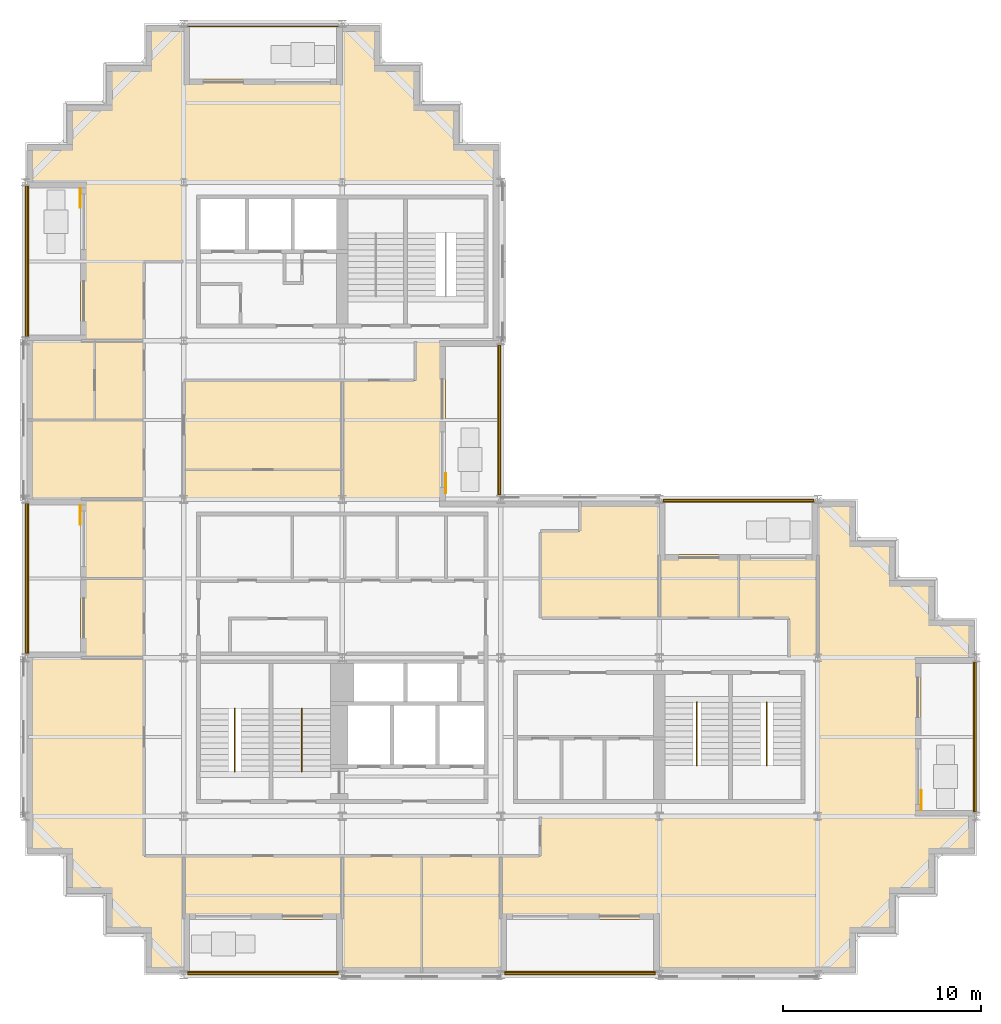
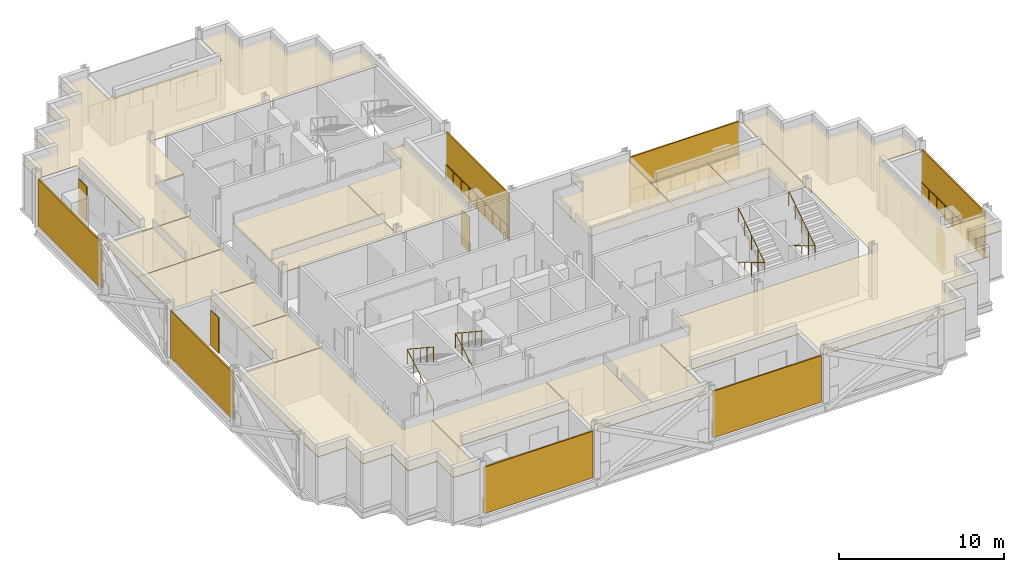
# One storey, part 10 of 12: 17 coverings, 12 railings, 11 shading devices.
"""IFC4 building model written with IfcOpenShell, lengths in metres."""

from ifc_helpers import new_model, si_unit, direction, frame, origin, origin_2d, place, context, subcontext, project, spatial, polyline, rectangle, circle, outline, extrude, material, layer, layer_set, type_object, element, save


model = new_model("IFC4")

# Units and contexts
model_context = context("Model", 3, precision=1e-05, world=origin(), true_north=direction((0.0, 1.0)))
body_context = subcontext(model_context, "Body", "Model", "MODEL_VIEW")
ifc_project = project(units=[si_unit("LENGTHUNIT", "METRE"), si_unit("AREAUNIT", "SQUARE_METRE"), si_unit("VOLUMEUNIT", "CUBIC_METRE"), si_unit("PLANEANGLEUNIT", "RADIAN"), si_unit("MASSUNIT", "GRAM", prefix="KILO")], contexts=[model_context])

# Site, building, storey
site_placement = place(None, origin())
site = spatial("IfcSite", under=ifc_project, at=site_placement, CompositionType="ELEMENT")
building_placement = place(site_placement, origin())
building = spatial("IfcBuilding", under=site, at=building_placement, Name="Immortelle Media Tower", CompositionType="ELEMENT")
storey_placement = place(building_placement, frame((0.0, 0.0, 153.60009765625)))
storey = spatial("IfcBuildingStorey", under=building, at=storey_placement, Name="L31", CompositionType="ELEMENT", Elevation=153.60009765625)

# Railings
ifc_material_1 = material(Name="Powder-coated aluminium fretwork panel, laminated glass backing", Category="aluminium")
railing_type_1 = type_object("IfcRailingType", Name="Fretwork balustrade 1100", PredefinedType="BALUSTRADE", material=ifc_material_1)
railing_1_placement = place(storey_placement, frame((8.202880859375, 0.139892578125, 0.0)))
element("IfcRailing", 1, at=railing_1_placement, inside=storey, type_object=railing_type_1, Name="Fretwork balustrade L31 S0", PredefinedType="BALUSTRADE", context=body_context, shape_type="SweptSolid", body=[
    extrude(circle(Radius=0.02490234375, at=origin_2d()), frame((0.0, 0.0, 1.0751953125), z_axis=(1.0, 0.0, 0.0), x_axis=(0.0, 1.0, 0.0)), (0.0, 0.0, 1.0), 7.591552734375),
    extrude(circle(Radius=0.02001953125, at=origin_2d()), origin(), (0.0, 0.0, 1.0), 1.050048828125),
    extrude(circle(Radius=0.02001953125, at=origin_2d()), frame((0.948974609375, 0.0, 0.0)), (0.0, 0.0, 1.0), 1.050048828125),
    extrude(circle(Radius=0.02001953125, at=origin_2d()), frame((1.89794921875, 0.0, 0.0)), (0.0, 0.0, 1.0), 1.050048828125),
    extrude(circle(Radius=0.02001953125, at=origin_2d()), frame((2.846923828125, 0.0, 0.0)), (0.0, 0.0, 1.0), 1.050048828125),
    extrude(circle(Radius=0.02001953125, at=origin_2d()), frame((3.7958984375, 0.0, 0.0)), (0.0, 0.0, 1.0), 1.050048828125),
    extrude(circle(Radius=0.02001953125, at=origin_2d()), frame((4.74462890625, 0.0, 0.0)), (0.0, 0.0, 1.0), 1.050048828125),
    extrude(circle(Radius=0.02001953125, at=origin_2d()), frame((5.693603515625, 0.0, 0.0)), (0.0, 0.0, 1.0), 1.050048828125),
    extrude(circle(Radius=0.02001953125, at=origin_2d()), frame((6.642578125, 0.0, 0.0)), (0.0, 0.0, 1.0), 1.050048828125),
    extrude(circle(Radius=0.02001953125, at=origin_2d()), frame((7.591552734375, 0.0, 0.0)), (0.0, 0.0, 1.0), 1.050048828125),
])
railing_2_placement = place(storey_placement, frame((24.20556640625, 0.139892578125, 0.0)))
element("IfcRailing", 2, at=railing_2_placement, inside=storey, type_object=railing_type_1, Name="Fretwork balustrade L31 S2", PredefinedType="BALUSTRADE", context=body_context, shape_type="SweptSolid", body=[
    extrude(circle(Radius=0.02490234375, at=origin_2d()), frame((0.0, 0.0, 1.0751953125), z_axis=(1.0, 0.0, 0.0), x_axis=(0.0, 1.0, 0.0)), (0.0, 0.0, 1.0), 7.5888671875),
    extrude(circle(Radius=0.02001953125, at=origin_2d()), origin(), (0.0, 0.0, 1.0), 1.050048828125),
    extrude(circle(Radius=0.02001953125, at=origin_2d()), frame((0.94873046875, 0.0, 0.0)), (0.0, 0.0, 1.0), 1.050048828125),
    extrude(circle(Radius=0.02001953125, at=origin_2d()), frame((1.897216796875, 0.0, 0.0)), (0.0, 0.0, 1.0), 1.050048828125),
    extrude(circle(Radius=0.02001953125, at=origin_2d()), frame((2.845703125, 0.0, 0.0)), (0.0, 0.0, 1.0), 1.050048828125),
    extrude(circle(Radius=0.02001953125, at=origin_2d()), frame((3.79443359375, 0.0, 0.0)), (0.0, 0.0, 1.0), 1.050048828125),
    extrude(circle(Radius=0.02001953125, at=origin_2d()), frame((4.7431640625, 0.0, 0.0)), (0.0, 0.0, 1.0), 1.050048828125),
    extrude(circle(Radius=0.02001953125, at=origin_2d()), frame((5.691650390625, 0.0, 0.0)), (0.0, 0.0, 1.0), 1.050048828125),
    extrude(circle(Radius=0.02001953125, at=origin_2d()), frame((6.64013671875, 0.0, 0.0)), (0.0, 0.0, 1.0), 1.050048828125),
    extrude(circle(Radius=0.02001953125, at=origin_2d()), frame((7.5888671875, 0.0, 0.0)), (0.0, 0.0, 1.0), 1.050048828125),
])
railing_3_placement = place(storey_placement, frame((47.860107421875, 8.20849609375, 0.0)))
element("IfcRailing", 3, at=railing_3_placement, inside=storey, type_object=railing_type_1, Name="Fretwork balustrade L31 E0", PredefinedType="BALUSTRADE", context=body_context, shape_type="SweptSolid", body=[
    extrude(circle(Radius=0.02490234375, at=origin_2d()), frame((0.0, 0.0, 1.0751953125), z_axis=(0.0, 1.0, 0.0), x_axis=(-1.0, 0.0, 0.0)), (0.0, 0.0, 1.0), 7.5830078125),
    extrude(circle(Radius=0.02001953125, at=origin_2d()), origin(), (0.0, 0.0, 1.0), 1.050048828125),
    extrude(circle(Radius=0.02001953125, at=origin_2d()), frame((0.0, 0.94775390625, 0.0)), (0.0, 0.0, 1.0), 1.050048828125),
    extrude(circle(Radius=0.02001953125, at=origin_2d()), frame((0.0, 1.895751953125, 0.0)), (0.0, 0.0, 1.0), 1.050048828125),
    extrude(circle(Radius=0.02001953125, at=origin_2d()), frame((0.0, 2.84375, 0.0)), (0.0, 0.0, 1.0), 1.050048828125),
    extrude(circle(Radius=0.02001953125, at=origin_2d()), frame((0.0, 3.79150390625, 0.0)), (0.0, 0.0, 1.0), 1.050048828125),
    extrude(circle(Radius=0.02001953125, at=origin_2d()), frame((0.0, 4.7392578125, 0.0)), (0.0, 0.0, 1.0), 1.050048828125),
    extrude(circle(Radius=0.02001953125, at=origin_2d()), frame((0.0, 5.687255859375, 0.0)), (0.0, 0.0, 1.0), 1.050048828125),
    extrude(circle(Radius=0.02001953125, at=origin_2d()), frame((0.0, 6.63525390625, 0.0)), (0.0, 0.0, 1.0), 1.050048828125),
    extrude(circle(Radius=0.02001953125, at=origin_2d()), frame((0.0, 7.5830078125, 0.0)), (0.0, 0.0, 1.0), 1.050048828125),
])
railing_4_placement = place(storey_placement, frame((39.797119140625, 23.860107421875, 0.0)))
element("IfcRailing", 4, at=railing_4_placement, inside=storey, type_object=railing_type_1, Name="Fretwork balustrade L31 N0", PredefinedType="BALUSTRADE", context=body_context, shape_type="SweptSolid", body=[
    extrude(circle(Radius=0.02490234375, at=origin_2d()), frame((0.0, 0.0, 1.0751953125), z_axis=(-1.0, 0.0, 0.0), x_axis=(0.0, -1.0, 0.0)), (0.0, 0.0, 1.0), 7.591552734375),
    extrude(circle(Radius=0.02001953125, at=origin_2d()), origin(), (0.0, 0.0, 1.0), 1.050048828125),
    extrude(circle(Radius=0.02001953125, at=origin_2d()), frame((-0.948974609375, 0.0, 0.0)), (0.0, 0.0, 1.0), 1.050048828125),
    extrude(circle(Radius=0.02001953125, at=origin_2d()), frame((-1.89794921875, 0.0, 0.0)), (0.0, 0.0, 1.0), 1.050048828125),
    extrude(circle(Radius=0.02001953125, at=origin_2d()), frame((-2.846923828125, 0.0, 0.0)), (0.0, 0.0, 1.0), 1.050048828125),
    extrude(circle(Radius=0.02001953125, at=origin_2d()), frame((-3.7958984375, 0.0, 0.0)), (0.0, 0.0, 1.0), 1.050048828125),
    extrude(circle(Radius=0.02001953125, at=origin_2d()), frame((-4.74462890625, 0.0, 0.0)), (0.0, 0.0, 1.0), 1.050048828125),
    extrude(circle(Radius=0.02001953125, at=origin_2d()), frame((-5.693603515625, 0.0, 0.0)), (0.0, 0.0, 1.0), 1.050048828125),
    extrude(circle(Radius=0.02001953125, at=origin_2d()), frame((-6.642578125, 0.0, 0.0)), (0.0, 0.0, 1.0), 1.050048828125),
    extrude(circle(Radius=0.02001953125, at=origin_2d()), frame((-7.591552734375, 0.0, 0.0)), (0.0, 0.0, 1.0), 1.050048828125),
])
railing_5_placement = place(storey_placement, frame((23.860107421875, 24.217041015625, 0.0)))
element("IfcRailing", 5, at=railing_5_placement, inside=storey, type_object=railing_type_1, Name="Fretwork balustrade L31 E0", PredefinedType="BALUSTRADE", context=body_context, shape_type="SweptSolid", body=[
    extrude(circle(Radius=0.02490234375, at=origin_2d()), frame((0.0, 0.0, 1.0751953125), z_axis=(0.0, 1.0, 0.0), x_axis=(-1.0, 0.0, 0.0)), (0.0, 0.0, 1.0), 7.58349609375),
    extrude(circle(Radius=0.02001953125, at=origin_2d()), origin(), (0.0, 0.0, 1.0), 1.050048828125),
    extrude(circle(Radius=0.02001953125, at=origin_2d()), frame((0.0, 0.947998046875, 0.0)), (0.0, 0.0, 1.0), 1.050048828125),
    extrude(circle(Radius=0.02001953125, at=origin_2d()), frame((0.0, 1.89599609375, 0.0)), (0.0, 0.0, 1.0), 1.050048828125),
    extrude(circle(Radius=0.02001953125, at=origin_2d()), frame((0.0, 2.84375, 0.0)), (0.0, 0.0, 1.0), 1.050048828125),
    extrude(circle(Radius=0.02001953125, at=origin_2d()), frame((0.0, 3.791748046875, 0.0)), (0.0, 0.0, 1.0), 1.050048828125),
    extrude(circle(Radius=0.02001953125, at=origin_2d()), frame((0.0, 4.73974609375, 0.0)), (0.0, 0.0, 1.0), 1.050048828125),
    extrude(circle(Radius=0.02001953125, at=origin_2d()), frame((0.0, 5.6875, 0.0)), (0.0, 0.0, 1.0), 1.050048828125),
    extrude(circle(Radius=0.02001953125, at=origin_2d()), frame((0.0, 6.635498046875, 0.0)), (0.0, 0.0, 1.0), 1.050048828125),
    extrude(circle(Radius=0.02001953125, at=origin_2d()), frame((0.0, 7.58349609375, 0.0)), (0.0, 0.0, 1.0), 1.050048828125),
])
railing_6_placement = place(storey_placement, frame((15.802978515625, 47.860107421875, 0.0)))
element("IfcRailing", 6, at=railing_6_placement, inside=storey, type_object=railing_type_1, Name="Fretwork balustrade L31 N0", PredefinedType="BALUSTRADE", context=body_context, shape_type="SweptSolid", body=[
    extrude(circle(Radius=0.02490234375, at=origin_2d()), frame((0.0, 0.0, 1.0751953125), z_axis=(-1.0, 0.0, 0.0), x_axis=(0.0, -1.0, 0.0)), (0.0, 0.0, 1.0), 7.60595703125),
    extrude(circle(Radius=0.02001953125, at=origin_2d()), origin(), (0.0, 0.0, 1.0), 1.050048828125),
    extrude(circle(Radius=0.02001953125, at=origin_2d()), frame((-0.95068359375, 0.0, 0.0)), (0.0, 0.0, 1.0), 1.050048828125),
    extrude(circle(Radius=0.02001953125, at=origin_2d()), frame((-1.9013671875, 0.0, 0.0)), (0.0, 0.0, 1.0), 1.050048828125),
    extrude(circle(Radius=0.02001953125, at=origin_2d()), frame((-2.852294921875, 0.0, 0.0)), (0.0, 0.0, 1.0), 1.050048828125),
    extrude(circle(Radius=0.02001953125, at=origin_2d()), frame((-3.802978515625, 0.0, 0.0)), (0.0, 0.0, 1.0), 1.050048828125),
    extrude(circle(Radius=0.02001953125, at=origin_2d()), frame((-4.753662109375, 0.0, 0.0)), (0.0, 0.0, 1.0), 1.050048828125),
    extrude(circle(Radius=0.02001953125, at=origin_2d()), frame((-5.70458984375, 0.0, 0.0)), (0.0, 0.0, 1.0), 1.050048828125),
    extrude(circle(Radius=0.02001953125, at=origin_2d()), frame((-6.6552734375, 0.0, 0.0)), (0.0, 0.0, 1.0), 1.050048828125),
    extrude(circle(Radius=0.02001953125, at=origin_2d()), frame((-7.60595703125, 0.0, 0.0)), (0.0, 0.0, 1.0), 1.050048828125),
])
railing_7_placement = place(storey_placement, frame((0.139892578125, 39.81201171875, 0.0)))
element("IfcRailing", 7, at=railing_7_placement, inside=storey, type_object=railing_type_1, Name="Fretwork balustrade L31 W0", PredefinedType="BALUSTRADE", context=body_context, shape_type="SweptSolid", body=[
    extrude(circle(Radius=0.02490234375, at=origin_2d()), frame((0.0, 0.0, 1.0751953125), z_axis=(0.0, -1.0, 0.0), x_axis=(1.0, 0.0, 0.0)), (0.0, 0.0, 1.0), 7.612548828125),
    extrude(circle(Radius=0.02001953125, at=origin_2d()), origin(), (0.0, 0.0, 1.0), 1.050048828125),
    extrude(circle(Radius=0.02001953125, at=origin_2d()), frame((0.0, -0.95166015625, 0.0)), (0.0, 0.0, 1.0), 1.050048828125),
    extrude(circle(Radius=0.02001953125, at=origin_2d()), frame((0.0, -1.903076171875, 0.0)), (0.0, 0.0, 1.0), 1.050048828125),
    extrude(circle(Radius=0.02001953125, at=origin_2d()), frame((0.0, -2.854736328125, 0.0)), (0.0, 0.0, 1.0), 1.050048828125),
    extrude(circle(Radius=0.02001953125, at=origin_2d()), frame((0.0, -3.80615234375, 0.0)), (0.0, 0.0, 1.0), 1.050048828125),
    extrude(circle(Radius=0.02001953125, at=origin_2d()), frame((0.0, -4.7578125, 0.0)), (0.0, 0.0, 1.0), 1.050048828125),
    extrude(circle(Radius=0.02001953125, at=origin_2d()), frame((0.0, -5.70947265625, 0.0)), (0.0, 0.0, 1.0), 1.050048828125),
    extrude(circle(Radius=0.02001953125, at=origin_2d()), frame((0.0, -6.660888671875, 0.0)), (0.0, 0.0, 1.0), 1.050048828125),
    extrude(circle(Radius=0.02001953125, at=origin_2d()), frame((0.0, -7.612548828125, 0.0)), (0.0, 0.0, 1.0), 1.050048828125),
])
railing_8_placement = place(storey_placement, frame((0.139892578125, 23.800537109375, 0.0)))
element("IfcRailing", 8, at=railing_8_placement, inside=storey, type_object=railing_type_1, Name="Fretwork balustrade L31 W2", PredefinedType="BALUSTRADE", context=body_context, shape_type="SweptSolid", body=[
    extrude(circle(Radius=0.02490234375, at=origin_2d()), frame((0.0, 0.0, 1.0751953125), z_axis=(0.0, -1.0, 0.0), x_axis=(1.0, 0.0, 0.0)), (0.0, 0.0, 1.0), 7.58349609375),
    extrude(circle(Radius=0.02001953125, at=origin_2d()), origin(), (0.0, 0.0, 1.0), 1.050048828125),
    extrude(circle(Radius=0.02001953125, at=origin_2d()), frame((0.0, -0.947998046875, 0.0)), (0.0, 0.0, 1.0), 1.050048828125),
    extrude(circle(Radius=0.02001953125, at=origin_2d()), frame((0.0, -1.89599609375, 0.0)), (0.0, 0.0, 1.0), 1.050048828125),
    extrude(circle(Radius=0.02001953125, at=origin_2d()), frame((0.0, -2.84375, 0.0)), (0.0, 0.0, 1.0), 1.050048828125),
    extrude(circle(Radius=0.02001953125, at=origin_2d()), frame((0.0, -3.791748046875, 0.0)), (0.0, 0.0, 1.0), 1.050048828125),
    extrude(circle(Radius=0.02001953125, at=origin_2d()), frame((0.0, -4.73974609375, 0.0)), (0.0, 0.0, 1.0), 1.050048828125),
    extrude(circle(Radius=0.02001953125, at=origin_2d()), frame((0.0, -5.6875, 0.0)), (0.0, 0.0, 1.0), 1.050048828125),
    extrude(circle(Radius=0.02001953125, at=origin_2d()), frame((0.0, -6.635498046875, 0.0)), (0.0, 0.0, 1.0), 1.050048828125),
    extrude(circle(Radius=0.02001953125, at=origin_2d()), frame((0.0, -7.58349609375, 0.0)), (0.0, 0.0, 1.0), 1.050048828125),
])

# Shading devices
ifc_material_2 = material(Name="Pale aluminium louvre blades", Category="aluminium")
ifc_layer_1 = layer(ifc_material_2, 0.10009765625)
ifc_layer_set_1 = layer_set([ifc_layer_1], Name="Pale aluminium louvre blades")
shading_device_type_1 = type_object("IfcShadingDeviceType", Name="Jalousie screen 100", PredefinedType="JALOUSIE", material=ifc_layer_set_1)
shading_device_1_placement = place(storey_placement, frame((11.998779296875, 0.050048828125, 0.0), z_axis=(0.0, 0.0, 1.0), x_axis=(1.0, 0.0, 0.0)))
element("IfcShadingDevice", 9, at=shading_device_1_placement, inside=storey, type_object=shading_device_type_1, Name="Jalousie screen L31 S0", PredefinedType="JALOUSIE", context=body_context, shape_type="SweptSolid", body=[
    extrude(rectangle(XDim=7.591552734375, YDim=0.10009765625, at=origin_2d()), origin(), (0.0, 0.0, 1.0), 3.43798828125),
])
shading_device_2_placement = place(storey_placement, frame((28.0, 0.050048828125, 0.0), z_axis=(0.0, 0.0, 1.0), x_axis=(1.0, 0.0, 0.0)))
element("IfcShadingDevice", 10, at=shading_device_2_placement, inside=storey, type_object=shading_device_type_1, Name="Jalousie screen L31 S2", PredefinedType="JALOUSIE", context=body_context, shape_type="SweptSolid", body=[
    extrude(rectangle(XDim=7.589111328125, YDim=0.10009765625, at=origin_2d()), origin(), (0.0, 0.0, 1.0), 3.43798828125),
])
shading_device_3_placement = place(storey_placement, frame((47.949951171875, 12.0, 0.0), z_axis=(0.0, 0.0, 1.0), x_axis=(0.0, 1.0, 0.0)))
element("IfcShadingDevice", 11, at=shading_device_3_placement, inside=storey, type_object=shading_device_type_1, Name="Jalousie screen L31 E0", PredefinedType="JALOUSIE", context=body_context, shape_type="SweptSolid", body=[
    extrude(rectangle(XDim=7.5830078125, YDim=0.10009765625, at=origin_2d()), origin(), (0.0, 0.0, 1.0), 3.43798828125),
])
shading_device_4_placement = place(storey_placement, frame((36.001220703125, 23.949951171875, 0.0), z_axis=(0.0, 0.0, 1.0), x_axis=(-1.0, 0.0, 0.0)))
element("IfcShadingDevice", 12, at=shading_device_4_placement, inside=storey, type_object=shading_device_type_1, Name="Jalousie screen L31 N0", PredefinedType="JALOUSIE", context=body_context, shape_type="SweptSolid", body=[
    extrude(rectangle(XDim=7.591552734375, YDim=0.10009765625, at=origin_2d()), origin(), (0.0, 0.0, 1.0), 3.43798828125),
])
shading_device_5_placement = place(storey_placement, frame((23.949951171875, 28.0087890625, 0.0), z_axis=(0.0, 0.0, 1.0), x_axis=(0.0, 1.0, 0.0)))
element("IfcShadingDevice", 13, at=shading_device_5_placement, inside=storey, type_object=shading_device_type_1, Name="Jalousie screen L31 E0", PredefinedType="JALOUSIE", context=body_context, shape_type="SweptSolid", body=[
    extrude(rectangle(XDim=7.58349609375, YDim=0.10009765625, at=origin_2d()), origin(), (0.0, 0.0, 1.0), 3.43798828125),
])
shading_device_6_placement = place(storey_placement, frame((0.050048828125, 36.005859375, 0.0), z_axis=(0.0, 0.0, 1.0), x_axis=(0.0, -1.0, 0.0)))
element("IfcShadingDevice", 14, at=shading_device_6_placement, inside=storey, type_object=shading_device_type_1, Name="Jalousie screen L31 W0", PredefinedType="JALOUSIE", context=body_context, shape_type="SweptSolid", body=[
    extrude(rectangle(XDim=7.612548828125, YDim=0.10009765625, at=origin_2d()), origin(), (0.0, 0.0, 1.0), 3.43798828125),
])
shading_device_7_placement = place(storey_placement, frame((0.050048828125, 20.0087890625, 0.0), z_axis=(0.0, 0.0, 1.0), x_axis=(0.0, -1.0, 0.0)))
element("IfcShadingDevice", 15, at=shading_device_7_placement, inside=storey, type_object=shading_device_type_1, Name="Jalousie screen L31 W2", PredefinedType="JALOUSIE", context=body_context, shape_type="SweptSolid", body=[
    extrude(rectangle(XDim=7.58349609375, YDim=0.10009765625, at=origin_2d()), origin(), (0.0, 0.0, 1.0), 3.43798828125),
])
ifc_material_3 = material(Name="Pale aluminium louvre blades in a folding frame", Category="aluminium")
ifc_layer_2 = layer(ifc_material_3, 0.050048828125)
ifc_layer_set_2 = layer_set([ifc_layer_2], Name="Pale aluminium louvre blades in a folding frame")
shading_device_type_2 = type_object("IfcShadingDeviceType", Name="Louvred loggia shutter", PredefinedType="SHUTTER", material=ifc_layer_set_2)
for number, where, z_axis, x_axis, name in (
    (16, (45.22509765625, 8.800048828125, -0.000244140625), (0.0, 0.0, 1.0), (0.0, 1.0, 0.0), "Loggia shutter L31 E0"),
    (17, (21.22509765625, 24.800048828125, -0.000244140625), (0.0, 0.0, 1.0), (0.0, 1.0, 0.0), "Loggia shutter L31 E0"),
    (18, (2.77490234375, 39.199951171875, -0.000244140625), (0.0, 0.0, 1.0), (0.0, -1.0, 0.0), "Loggia shutter L31 W0"),
    (19, (2.77490234375, 23.199951171875, -0.000244140625), (0.0, 0.0, 1.0), (0.0, -1.0, 0.0), "Loggia shutter L31 W2"),
):
    element("IfcShadingDevice", number, at=place(storey_placement, frame(where, z_axis=z_axis, x_axis=x_axis)), inside=storey, type_object=shading_device_type_2, Name=name, PredefinedType="SHUTTER", context=body_context, shape_type="SweptSolid", body=[
        extrude(rectangle(XDim=1.0, YDim=0.050048828125, at=origin_2d()), origin(), (0.0, 0.0, 1.0), 2.60009765625),
    ])

# Railings
ifc_material_4 = material(Name="Stainless steel AISI 316", Category="steel")
railing_type_2 = type_object("IfcRailingType", Name="Stair guard 1100", PredefinedType="GUARDRAIL", material=ifc_material_4)
for number, where, name in (
    (20, (10.574951171875, 10.25, 0.1748046875), "Stair guard SW1"),
    (21, (13.949951171875, 10.25, 0.1748046875), "Stair guard SW2"),
):
    element("IfcRailing", number, at=place(storey_placement, frame(where)), inside=storey, type_object=railing_type_2, Name=name, PredefinedType="GUARDRAIL", context=body_context, shape_type="SweptSolid", body=[
        extrude(circle(Radius=0.02392578125, at=origin_2d()), frame((0.0, 0.0, 1.076171875), z_axis=(0.0, 0.856177665481, 0.516681531633), x_axis=(-1.0, 0.0, 0.0)), (0.0, 0.0, 1.0), 3.725830078125),
        extrude(circle(Radius=0.02392578125, at=origin_2d()), frame((0.0, 3.18994140625, 3.0009765625), z_axis=(0.0, -0.835242474824, 0.549881812983), x_axis=(1.0, 0.0, 0.0)), (0.0, 0.0, 1.0), 3.819091796875),
        extrude(circle(Radius=0.02099609375, at=origin_2d()), origin(), (0.0, 0.0, 1.0), 1.052001953125),
        extrude(circle(Radius=0.02099609375, at=origin_2d()), frame((0.0, 0.79736328125, 0.481201171875)), (0.0, 0.0, 1.0), 1.052001953125),
        extrude(circle(Radius=0.02099609375, at=origin_2d()), frame((0.0, 1.594970703125, 0.96240234375)), (0.0, 0.0, 1.0), 1.052001953125),
        extrude(circle(Radius=0.02099609375, at=origin_2d()), frame((0.0, 2.392578125, 1.44384765625)), (0.0, 0.0, 1.0), 1.052001953125),
        extrude(circle(Radius=0.02099609375, at=origin_2d()), frame((0.0, 3.18994140625, 1.925048828125)), (0.0, 0.0, 1.0), 1.052001953125),
        extrude(circle(Radius=0.02099609375, at=origin_2d()), frame((0.0, 2.392578125, 2.4501953125)), (0.0, 0.0, 1.0), 1.052001953125),
        extrude(circle(Radius=0.02099609375, at=origin_2d()), frame((0.0, 1.594970703125, 2.97509765625)), (0.0, 0.0, 1.0), 1.052001953125),
        extrude(circle(Radius=0.02099609375, at=origin_2d()), frame((0.0, 0.79736328125, 3.5)), (0.0, 0.0, 1.0), 1.052001953125),
        extrude(circle(Radius=0.02099609375, at=origin_2d()), frame((0.0, 0.0, 4.025146484375)), (0.0, 0.0, 1.0), 1.052001953125),
    ])
for number, where, name in (
    (22, (33.89990234375, 13.75, 0.1748046875), "Stair guard SE1"),
    (23, (37.425048828125, 13.75, 0.1748046875), "Stair guard SE2"),
):
    element("IfcRailing", number, at=place(storey_placement, frame(where)), inside=storey, type_object=railing_type_2, Name=name, PredefinedType="GUARDRAIL", context=body_context, shape_type="SweptSolid", body=[
        extrude(circle(Radius=0.02392578125, at=origin_2d()), frame((0.0, 0.0, 1.076171875), z_axis=(0.0, -0.856177665481, 0.516681531633), x_axis=(1.0, 0.0, 0.0)), (0.0, 0.0, 1.0), 3.725830078125),
        extrude(circle(Radius=0.02392578125, at=origin_2d()), frame((0.0, -3.18994140625, 3.0009765625), z_axis=(0.0, 0.835242474824, 0.549881812983), x_axis=(-1.0, 0.0, 0.0)), (0.0, 0.0, 1.0), 3.819091796875),
        extrude(circle(Radius=0.02099609375, at=origin_2d()), origin(), (0.0, 0.0, 1.0), 1.052001953125),
        extrude(circle(Radius=0.02099609375, at=origin_2d()), frame((0.0, -0.79736328125, 0.481201171875)), (0.0, 0.0, 1.0), 1.052001953125),
        extrude(circle(Radius=0.02099609375, at=origin_2d()), frame((0.0, -1.594970703125, 0.96240234375)), (0.0, 0.0, 1.0), 1.052001953125),
        extrude(circle(Radius=0.02099609375, at=origin_2d()), frame((0.0, -2.392578125, 1.44384765625)), (0.0, 0.0, 1.0), 1.052001953125),
        extrude(circle(Radius=0.02099609375, at=origin_2d()), frame((0.0, -3.18994140625, 1.925048828125)), (0.0, 0.0, 1.0), 1.052001953125),
        extrude(circle(Radius=0.02099609375, at=origin_2d()), frame((0.0, -2.392578125, 2.4501953125)), (0.0, 0.0, 1.0), 1.052001953125),
        extrude(circle(Radius=0.02099609375, at=origin_2d()), frame((0.0, -1.594970703125, 2.97509765625)), (0.0, 0.0, 1.0), 1.052001953125),
        extrude(circle(Radius=0.02099609375, at=origin_2d()), frame((0.0, -0.79736328125, 3.5)), (0.0, 0.0, 1.0), 1.052001953125),
        extrude(circle(Radius=0.02099609375, at=origin_2d()), frame((0.0, 0.0, 4.025146484375)), (0.0, 0.0, 1.0), 1.052001953125),
    ])

# Coverings
ifc_material_5 = material(Name="Mineral fibre tile ceiling")
ifc_layer_3 = layer(ifc_material_5, 0.050048828125)
ifc_layer_set_3 = layer_set([ifc_layer_3], Name="Mineral fibre tile ceiling")
covering_type = type_object("IfcCoveringType", Name="Suspended ceiling 50", PredefinedType="CEILING", material=ifc_layer_set_3)
covering_1_placement = place(storey_placement, frame((0.0, 0.0, 3.303955078125)))
element("IfcCovering", 24, at=covering_1_placement, inside=storey, type_object=covering_type, Name="Ceiling L31-001", PredefinedType="CEILING", context=body_context, shape_type="SweptSolid", body=[
    extrude(outline(polyline([(16.0, 2.800048828125), (16.0, 6.0), (20.0, 6.0), (20.0, 0.10009765625), (16.0, 0.10009765625), (16.0, 2.800048828125)])), origin(), (0.0, 0.0, 1.0), 0.050048828125),
])
covering_2_placement = place(storey_placement, frame((0.0, 0.0, 3.303955078125)))
element("IfcCovering", 25, at=covering_2_placement, inside=storey, type_object=covering_type, Name="Ceiling L31-002", PredefinedType="CEILING", context=body_context, shape_type="SweptSolid", body=[
    extrude(outline(polyline([(24.0, 6.0), (24.0, 2.800048828125), (24.0, 0.10009765625), (20.0, 0.10009765625), (20.0, 6.0), (24.0, 6.0)])), origin(), (0.0, 0.0, 1.0), 0.050048828125),
])
covering_3_placement = place(storey_placement, frame((0.0, 0.0, 3.303955078125)))
element("IfcCovering", 26, at=covering_3_placement, inside=storey, type_object=covering_type, Name="Ceiling L31-003", PredefinedType="CEILING", context=body_context, shape_type="SweptSolid", body=[
    extrude(outline(polyline([(8.0, 2.800048828125), (8.0, 6.0), (16.0, 6.0), (16.0, 2.800048828125), (8.0, 2.800048828125)])), origin(), (0.0, 0.0, 1.0), 0.050048828125),
])
covering_4_placement = place(storey_placement, frame((0.0, 0.0, 3.303955078125)))
element("IfcCovering", 27, at=covering_4_placement, inside=storey, type_object=covering_type, Name="Ceiling L31-004", PredefinedType="CEILING", context=body_context, shape_type="SweptSolid", body=[
    extrude(outline(polyline([(26.0, 6.0), (26.0, 8.0), (32.0, 8.0), (40.0, 8.0), (40.0, 16.0), (40.0, 21.199951171875), (40.0, 23.89990234375), (41.89990234375, 23.89990234375), (41.89990234375, 21.89990234375), (43.89990234375, 21.89990234375), (43.89990234375, 19.89990234375), (45.89990234375, 19.89990234375), (45.89990234375, 17.89990234375), (47.89990234375, 17.89990234375), (47.89990234375, 16.0), (45.199951171875, 16.0), (45.199951171875, 8.0), (47.89990234375, 8.0), (47.89990234375, 6.10009765625), (45.89990234375, 6.10009765625), (45.89990234375, 4.10009765625), (43.89990234375, 4.10009765625), (43.89990234375, 2.10009765625), (41.89990234375, 2.10009765625), (41.89990234375, 0.10009765625), (40.0, 0.10009765625), (32.0, 0.10009765625), (32.0, 2.800048828125), (24.0, 2.800048828125), (24.0, 6.0), (26.0, 6.0)])), origin(), (0.0, 0.0, 1.0), 0.050048828125),
])
covering_5_placement = place(storey_placement, frame((0.0, 0.0, 3.303955078125)))
element("IfcCovering", 28, at=covering_5_placement, inside=storey, type_object=covering_type, Name="Ceiling L31-005", PredefinedType="CEILING", context=body_context, shape_type="SweptSolid", body=[
    extrude(outline(polyline([(6.10009765625, 2.10009765625), (4.10009765625, 2.10009765625), (4.10009765625, 4.10009765625), (2.10009765625, 4.10009765625), (2.10009765625, 6.10009765625), (0.10009765625, 6.10009765625), (0.10009765625, 8.0), (0.10009765625, 16.0), (2.800048828125, 16.0), (6.0, 16.0), (6.0, 8.0), (6.0, 6.0), (8.0, 6.0), (8.0, 2.800048828125), (8.0, 0.10009765625), (6.10009765625, 0.10009765625), (6.10009765625, 2.10009765625)])), origin(), (0.0, 0.0, 1.0), 0.050048828125),
])
covering_6_placement = place(storey_placement, frame((0.0, 0.0, 3.303955078125)))
element("IfcCovering", 29, at=covering_6_placement, inside=storey, type_object=covering_type, Name="Ceiling L31-006", PredefinedType="CEILING", context=body_context, shape_type="SweptSolid", body=[
    extrude(outline(polyline([(32.0, 18.0), (32.0, 21.199951171875), (36.0, 21.199951171875), (36.0, 18.0), (32.0, 18.0)])), origin(), (0.0, 0.0, 1.0), 0.050048828125),
])
covering_7_placement = place(storey_placement, frame((0.0, 0.0, 3.303955078125)))
element("IfcCovering", 30, at=covering_7_placement, inside=storey, type_object=covering_type, Name="Ceiling L31-007", PredefinedType="CEILING", context=body_context, shape_type="SweptSolid", body=[
    extrude(outline(polyline([(38.550048828125, 18.0), (36.0, 18.0), (36.0, 21.199951171875), (40.0, 21.199951171875), (40.0, 16.0), (38.550048828125, 16.0), (38.550048828125, 18.0)])), origin(), (0.0, 0.0, 1.0), 0.050048828125),
])
covering_8_placement = place(storey_placement, frame((0.0, 0.0, 3.303955078125)))
element("IfcCovering", 31, at=covering_8_placement, inside=storey, type_object=covering_type, Name="Ceiling L31-008", PredefinedType="CEILING", context=body_context, shape_type="SweptSolid", body=[
    extrude(outline(polyline([(6.0, 16.0), (2.800048828125, 16.0), (2.800048828125, 20.0), (6.0, 20.0), (6.0, 19.449951171875), (6.0, 16.0)])), origin(), (0.0, 0.0, 1.0), 0.050048828125),
])
covering_9_placement = place(storey_placement, frame((0.0, 0.0, 3.303955078125)))
element("IfcCovering", 32, at=covering_9_placement, inside=storey, type_object=covering_type, Name="Ceiling L31-009", PredefinedType="CEILING", context=body_context, shape_type="SweptSolid", body=[
    extrude(outline(polyline([(2.800048828125, 24.0), (6.0, 24.0), (6.0, 20.0), (2.800048828125, 20.0), (2.800048828125, 24.0)])), origin(), (0.0, 0.0, 1.0), 0.050048828125),
])
covering_10_placement = place(storey_placement, frame((0.0, 0.0, 3.303955078125)))
element("IfcCovering", 33, at=covering_10_placement, inside=storey, type_object=covering_type, Name="Ceiling L31-010", PredefinedType="CEILING", context=body_context, shape_type="SweptSolid", body=[
    extrude(outline(polyline([(27.0, 18.0), (26.0, 18.0), (26.0, 19.449951171875), (26.0, 22.39990234375), (28.0, 22.39990234375), (28.0, 23.89990234375), (32.0, 23.89990234375), (32.0, 21.199951171875), (32.0, 18.0), (27.0, 18.0)])), origin(), (0.0, 0.0, 1.0), 0.050048828125),
])
covering_11_placement = place(storey_placement, frame((0.0, 0.0, 3.303955078125)))
element("IfcCovering", 34, at=covering_11_placement, inside=storey, type_object=covering_type, Name="Ceiling L31-011", PredefinedType="CEILING", context=body_context, shape_type="SweptSolid", body=[
    extrude(outline(polyline([(8.0, 30.0), (12.199951171875, 30.0), (12.39990234375, 30.0), (16.0, 30.0), (16.0, 25.5), (8.0, 25.5), (8.0, 30.0)])), origin(), (0.0, 0.0, 1.0), 0.050048828125),
])
covering_12_placement = place(storey_placement, frame((0.0, 0.0, 3.303955078125)))
element("IfcCovering", 35, at=covering_12_placement, inside=storey, type_object=covering_type, Name="Ceiling L31-012", PredefinedType="CEILING", context=body_context, shape_type="SweptSolid", body=[
    extrude(outline(polyline([(8.0, 25.5), (16.0, 25.5), (16.0, 24.0), (8.0, 24.0), (8.0, 25.5)])), origin(), (0.0, 0.0, 1.0), 0.050048828125),
])
covering_13_placement = place(storey_placement, frame((0.0, 0.0, 3.303955078125)))
element("IfcCovering", 36, at=covering_13_placement, inside=storey, type_object=covering_type, Name="Ceiling L31-013", PredefinedType="CEILING", context=body_context, shape_type="SweptSolid", body=[
    extrude(outline(polyline([(16.0, 24.0), (16.0, 30.0), (19.699951171875, 30.0), (19.699951171875, 32.0), (21.199951171875, 32.0), (21.199951171875, 24.0), (16.0, 24.0)])), origin(), (0.0, 0.0, 1.0), 0.050048828125),
])
covering_14_placement = place(storey_placement, frame((0.0, 0.0, 3.303955078125)))
element("IfcCovering", 37, at=covering_14_placement, inside=storey, type_object=covering_type, Name="Ceiling L31-014", PredefinedType="CEILING", context=body_context, shape_type="SweptSolid", body=[
    extrude(outline(polyline([(6.0, 24.0), (2.800048828125, 24.0), (0.10009765625, 24.0), (0.10009765625, 28.0), (6.0, 28.0), (6.0, 24.0)])), origin(), (0.0, 0.0, 1.0), 0.050048828125),
])
covering_15_placement = place(storey_placement, frame((0.0, 0.0, 3.303955078125)))
element("IfcCovering", 38, at=covering_15_placement, inside=storey, type_object=covering_type, Name="Ceiling L31-015", PredefinedType="CEILING", context=body_context, shape_type="SweptSolid", body=[
    extrude(outline(polyline([(3.5, 28.0), (3.5, 32.0), (6.0, 32.0), (6.0, 30.0), (6.0, 28.0), (3.5, 28.0)])), origin(), (0.0, 0.0, 1.0), 0.050048828125),
])
covering_16_placement = place(storey_placement, frame((0.0, 0.0, 3.303955078125)))
element("IfcCovering", 39, at=covering_16_placement, inside=storey, type_object=covering_type, Name="Ceiling L31-016", PredefinedType="CEILING", context=body_context, shape_type="SweptSolid", body=[
    extrude(outline(polyline([(0.10009765625, 28.0), (0.10009765625, 32.0), (2.800048828125, 32.0), (3.5, 32.0), (3.5, 28.0), (0.10009765625, 28.0)])), origin(), (0.0, 0.0, 1.0), 0.050048828125),
])
covering_17_placement = place(storey_placement, frame((0.0, 0.0, 3.303955078125)))
element("IfcCovering", 40, at=covering_17_placement, inside=storey, type_object=covering_type, Name="Ceiling L31-017", PredefinedType="CEILING", context=body_context, shape_type="SweptSolid", body=[
    extrude(outline(polyline([(2.800048828125, 40.0), (0.10009765625, 40.0), (0.10009765625, 41.89990234375), (2.10009765625, 41.89990234375), (2.10009765625, 43.89990234375), (4.10009765625, 43.89990234375), (4.10009765625, 45.89990234375), (6.10009765625, 45.89990234375), (6.10009765625, 47.89990234375), (8.0, 47.89990234375), (8.0, 45.199951171875), (16.0, 45.199951171875), (16.0, 47.89990234375), (17.89990234375, 47.89990234375), (17.89990234375, 45.89990234375), (19.89990234375, 45.89990234375), (19.89990234375, 43.89990234375), (21.89990234375, 43.89990234375), (21.89990234375, 41.89990234375), (23.89990234375, 41.89990234375), (23.89990234375, 40.0), (16.0, 40.0), (8.0, 40.0), (8.0, 36.0), (6.0, 36.0), (6.0, 32.0), (2.800048828125, 32.0), (2.800048828125, 40.0)])), origin(), (0.0, 0.0, 1.0), 0.050048828125),
])

save(model, "model.ifc")
